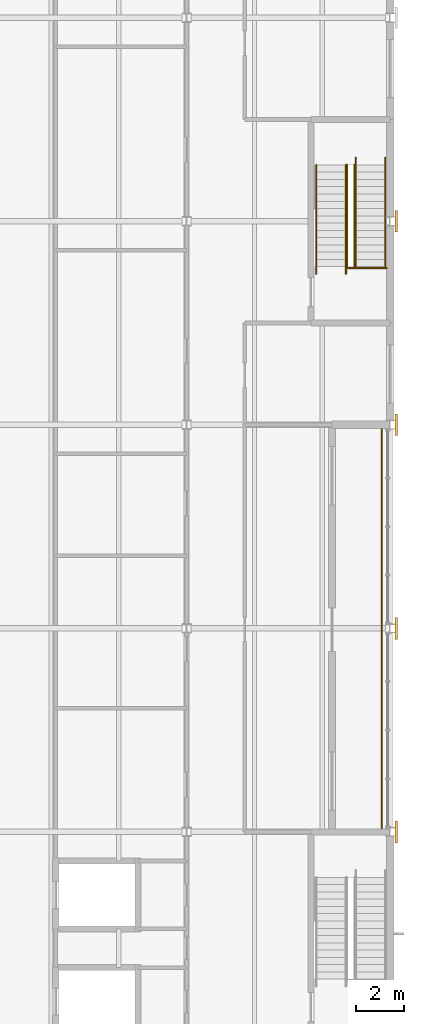
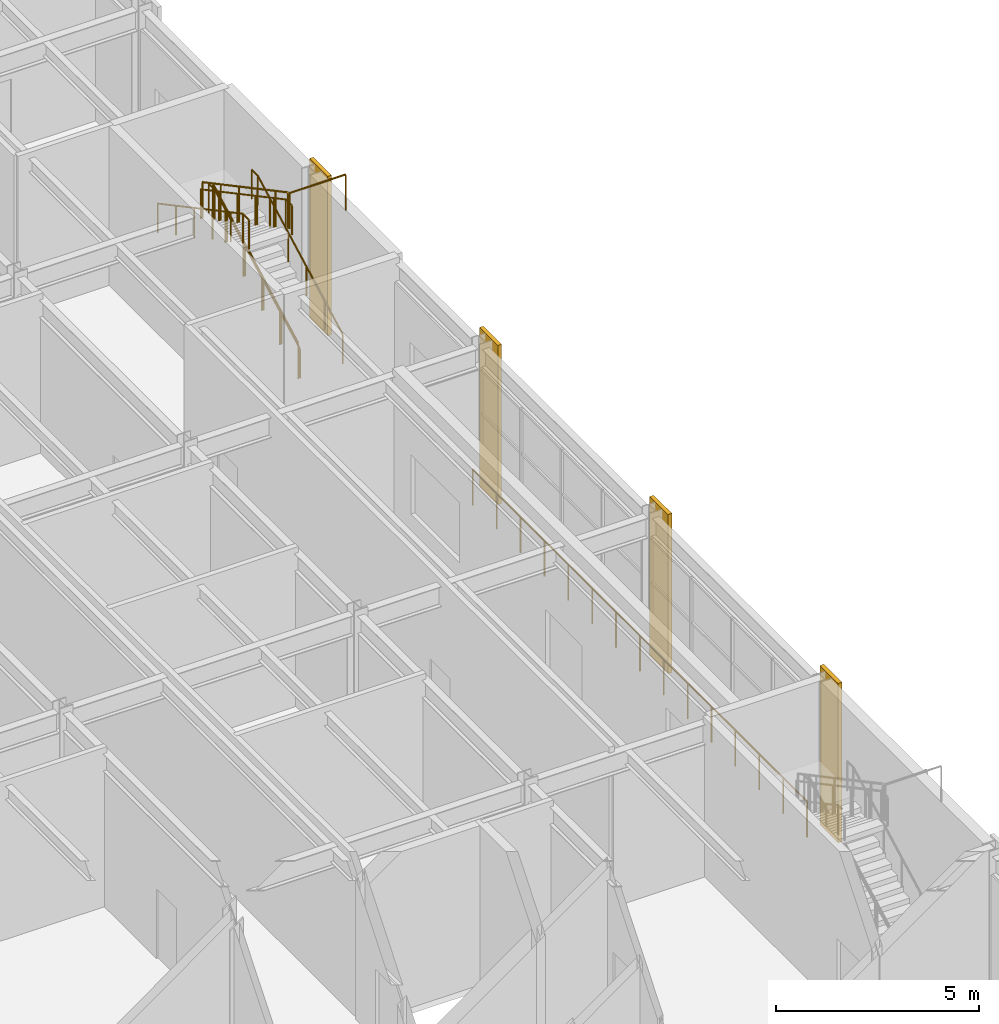
# One storey, part 116 of 127: 8 railings, 4 coverings.
"""IFC4 building model written with IfcOpenShell, lengths in metres."""

from ifc_helpers import new_model, si_unit, direction, frame, origin, origin_2d, place, context, subcontext, project, spatial, rectangle, circle, extrude, material, layer, layer_set, type_object, element, save


model = new_model("IFC4")

# Units and contexts
model_context = context("Model", 3, precision=1e-05, world=origin(), true_north=direction((0.0, 1.0)))
body_context = subcontext(model_context, "Body", "Model", "MODEL_VIEW")
ifc_project = project(units=[si_unit("LENGTHUNIT", "METRE"), si_unit("AREAUNIT", "SQUARE_METRE"), si_unit("VOLUMEUNIT", "CUBIC_METRE"), si_unit("PLANEANGLEUNIT", "RADIAN"), si_unit("MASSUNIT", "GRAM", prefix="KILO")], contexts=[model_context])

# Site, building, storey
site_placement = place(None, origin())
site = spatial("IfcSite", under=ifc_project, at=site_placement, CompositionType="ELEMENT")
building_placement = place(site_placement, origin())
building = spatial("IfcBuilding", under=site, at=building_placement, Name="Ljudholm Concert House", CompositionType="ELEMENT")
storey_placement = place(building_placement, frame((0.0, 0.0, 5.39990234375)))
storey = spatial("IfcBuildingStorey", under=building, at=storey_placement, Name="L01", CompositionType="ELEMENT", Elevation=5.39990234375)

# Railings
ifc_material_1 = material(Name="Steel ASTM A36", Category="steel")
railing_type_1 = type_object("IfcRailingType", Name="GUARD 1100", PredefinedType="GUARDRAIL", material=ifc_material_1)
railing_1_placement = place(storey_placement, frame((120.125, 60.925048828125, 0.16015625)))
element("IfcRailing", 1, at=railing_1_placement, inside=storey, type_object=railing_type_1, Name="Guard", PredefinedType="GUARDRAIL", context=body_context, shape_type="SweptSolid", body=[
    extrude(circle(Radius=0.02490234375, at=origin_2d()), frame((0.0, 0.0, 1.0751953125), z_axis=(0.0, 0.88233968818, 0.47061308382), x_axis=(-1.0, 0.0, 0.0)), (0.0, 0.0, 1.0), 1.02001953125),
    extrude(circle(Radius=0.02490234375, at=origin_2d()), frame((0.0, 0.89990234375, 1.55517578125), z_axis=(0.0, 0.882392687573, 0.470513703219), x_axis=(-1.0, 0.0, 0.0)), (0.0, 0.0, 1.0), 1.02001953125),
    extrude(circle(Radius=0.02490234375, at=origin_2d()), frame((0.0, 1.800048828125, 2.03515625), z_axis=(0.0, 0.88233968818, 0.47061308382), x_axis=(-1.0, 0.0, 0.0)), (0.0, 0.0, 1.0), 1.02001953125),
    extrude(circle(Radius=0.02490234375, at=origin_2d()), frame((0.0, 2.699951171875, 2.51513671875), z_axis=(0.0, 0.88233968818, 0.47061308382), x_axis=(-1.0, 0.0, 0.0)), (0.0, 0.0, 1.0), 1.02001953125),
    extrude(circle(Radius=0.02490234375, at=origin_2d()), frame((0.0, 3.599853515625, 2.9951171875), z_axis=(0.0, 0.882343004153, 0.470606866739), x_axis=(-1.0, 0.0, 0.0)), (0.0, 0.0, 1.0), 0.68017578125),
    extrude(circle(Radius=0.02099609375, at=origin_2d()), origin(), (0.0, 0.0, 1.0), 1.050048828125),
    extrude(circle(Radius=0.02099609375, at=origin_2d()), frame((0.0, 0.89990234375, 0.47998046875)), (0.0, 0.0, 1.0), 1.050048828125),
    extrude(circle(Radius=0.02099609375, at=origin_2d()), frame((0.0, 1.800048828125, 0.9599609375)), (0.0, 0.0, 1.0), 1.050048828125),
    extrude(circle(Radius=0.02099609375, at=origin_2d()), frame((0.0, 2.699951171875, 1.43994140625)), (0.0, 0.0, 1.0), 1.050048828125),
    extrude(circle(Radius=0.02099609375, at=origin_2d()), frame((0.0, 3.599853515625, 1.919921875)), (0.0, 0.0, 1.0), 1.050048828125),
    extrude(circle(Radius=0.02099609375, at=origin_2d()), frame((0.0, 4.199951171875, 2.239990234375)), (0.0, 0.0, 1.0), 1.050048828125),
])
railing_2_placement = place(storey_placement, frame((119.824951171875, 65.125, 2.56005859375)))
element("IfcRailing", 2, at=railing_2_placement, inside=storey, type_object=railing_type_1, Name="Guard", PredefinedType="GUARDRAIL", context=body_context, shape_type="SweptSolid", body=[
    extrude(circle(Radius=0.02490234375, at=origin_2d()), frame((0.0, 0.0, 1.0751953125), z_axis=(0.0, -0.88233968818, 0.47061308382), x_axis=(1.0, 0.0, 0.0)), (0.0, 0.0, 1.0), 1.02001953125),
    extrude(circle(Radius=0.02490234375, at=origin_2d()), frame((0.0, -0.89990234375, 1.55517578125), z_axis=(0.0, -0.882392687573, 0.470513703219), x_axis=(1.0, 0.0, 0.0)), (0.0, 0.0, 1.0), 1.02001953125),
    extrude(circle(Radius=0.02490234375, at=origin_2d()), frame((0.0, -1.800048828125, 2.03515625), z_axis=(0.0, -0.88233968818, 0.47061308382), x_axis=(1.0, 0.0, 0.0)), (0.0, 0.0, 1.0), 1.02001953125),
    extrude(circle(Radius=0.02490234375, at=origin_2d()), frame((0.0, -2.699951171875, 2.51513671875), z_axis=(0.0, -0.882392687573, 0.470513703219), x_axis=(1.0, 0.0, 0.0)), (0.0, 0.0, 1.0), 1.02001953125),
    extrude(circle(Radius=0.02490234375, at=origin_2d()), frame((0.0, -3.60009765625, 2.9951171875), z_axis=(0.0, -0.88226346546, 0.470755963866), x_axis=(1.0, 0.0, 0.0)), (0.0, 0.0, 1.0), 0.679931640625),
    extrude(circle(Radius=0.02099609375, at=origin_2d()), origin(), (0.0, 0.0, 1.0), 1.050048828125),
    extrude(circle(Radius=0.02099609375, at=origin_2d()), frame((0.0, -0.89990234375, 0.47998046875)), (0.0, 0.0, 1.0), 1.050048828125),
    extrude(circle(Radius=0.02099609375, at=origin_2d()), frame((0.0, -1.800048828125, 0.9599609375)), (0.0, 0.0, 1.0), 1.050048828125),
    extrude(circle(Radius=0.02099609375, at=origin_2d()), frame((0.0, -2.699951171875, 1.43994140625)), (0.0, 0.0, 1.0), 1.050048828125),
    extrude(circle(Radius=0.02099609375, at=origin_2d()), frame((0.0, -3.60009765625, 1.919921875)), (0.0, 0.0, 1.0), 1.050048828125),
    extrude(circle(Radius=0.02099609375, at=origin_2d()), frame((0.0, -4.199951171875, 2.239990234375)), (0.0, 0.0, 1.0), 1.050048828125),
])
railing_3_placement = place(storey_placement, frame((121.449951171875, 60.875, 4.800048828125)))
element("IfcRailing", 3, at=railing_3_placement, inside=storey, type_object=railing_type_1, Name="Guard", PredefinedType="GUARDRAIL", context=body_context, shape_type="SweptSolid", body=[
    extrude(circle(Radius=0.02490234375, at=origin_2d()), frame((0.0, 0.0, 1.0751953125), z_axis=(-1.0, 0.0, 0.0), x_axis=(0.0, -1.0, 0.0)), (0.0, 0.0, 1.0), 1.599853515625),
    extrude(circle(Radius=0.02099609375, at=origin_2d()), origin(), (0.0, 0.0, 1.0), 1.050048828125),
    extrude(circle(Radius=0.02099609375, at=origin_2d()), frame((-1.599853515625, 0.0, 0.0)), (0.0, 0.0, 1.0), 1.050048828125),
])
ifc_material_2 = material(Name="Steel ASTM A36", Category="steel")
railing_type_2 = type_object("IfcRailingType", Name="GUARD 1100 EXTERNAL", PredefinedType="GUARDRAIL", material=ifc_material_2)
railing_4_placement = place(storey_placement, frame((121.25, 37.75, 0.0)))
element("IfcRailing", 4, at=railing_4_placement, inside=storey, type_object=railing_type_2, Name="Loggia guard", PredefinedType="GUARDRAIL", context=body_context, shape_type="SweptSolid", body=[
    extrude(circle(Radius=0.02490234375, at=origin_2d()), frame((0.0, 0.0, 1.0751953125), z_axis=(0.0, 1.0, 0.0), x_axis=(-1.0, 0.0, 0.0)), (0.0, 0.0, 1.0), 16.5),
    extrude(circle(Radius=0.02099609375, at=origin_2d()), origin(), (0.0, 0.0, 1.0), 1.050048828125),
    extrude(circle(Radius=0.02099609375, at=origin_2d()), frame((0.0, 1.178466796875, 0.0)), (0.0, 0.0, 1.0), 1.050048828125),
    extrude(circle(Radius=0.02099609375, at=origin_2d()), frame((0.0, 2.357177734375, 0.0)), (0.0, 0.0, 1.0), 1.050048828125),
    extrude(circle(Radius=0.02099609375, at=origin_2d()), frame((0.0, 3.53564453125, 0.0)), (0.0, 0.0, 1.0), 1.050048828125),
    extrude(circle(Radius=0.02099609375, at=origin_2d()), frame((0.0, 4.71435546875, 0.0)), (0.0, 0.0, 1.0), 1.050048828125),
    extrude(circle(Radius=0.02099609375, at=origin_2d()), frame((0.0, 5.892822265625, 0.0)), (0.0, 0.0, 1.0), 1.050048828125),
    extrude(circle(Radius=0.02099609375, at=origin_2d()), frame((0.0, 7.071533203125, 0.0)), (0.0, 0.0, 1.0), 1.050048828125),
    extrude(circle(Radius=0.02099609375, at=origin_2d()), frame((0.0, 8.25, 0.0)), (0.0, 0.0, 1.0), 1.050048828125),
    extrude(circle(Radius=0.02099609375, at=origin_2d()), frame((0.0, 9.428466796875, 0.0)), (0.0, 0.0, 1.0), 1.050048828125),
    extrude(circle(Radius=0.02099609375, at=origin_2d()), frame((0.0, 10.607177734375, 0.0)), (0.0, 0.0, 1.0), 1.050048828125),
    extrude(circle(Radius=0.02099609375, at=origin_2d()), frame((0.0, 11.78564453125, 0.0)), (0.0, 0.0, 1.0), 1.050048828125),
    extrude(circle(Radius=0.02099609375, at=origin_2d()), frame((0.0, 12.96435546875, 0.0)), (0.0, 0.0, 1.0), 1.050048828125),
    extrude(circle(Radius=0.02099609375, at=origin_2d()), frame((0.0, 14.142822265625, 0.0)), (0.0, 0.0, 1.0), 1.050048828125),
    extrude(circle(Radius=0.02099609375, at=origin_2d()), frame((0.0, 15.321533203125, 0.0)), (0.0, 0.0, 1.0), 1.050048828125),
    extrude(circle(Radius=0.02099609375, at=origin_2d()), frame((0.0, 16.5, 0.0)), (0.0, 0.0, 1.0), 1.050048828125),
])
ifc_material_3 = material(Name="Steel ASTM A36", Category="steel")
railing_type_3 = type_object("IfcRailingType", Name="HANDRAIL 900", PredefinedType="HANDRAIL", material=ifc_material_3)
railing_5_placement = place(storey_placement, frame((120.175048828125, 60.925048828125, 0.16015625)))
element("IfcRailing", 5, at=railing_5_placement, inside=storey, type_object=railing_type_3, Name="Handrail", PredefinedType="HANDRAIL", context=body_context, shape_type="SweptSolid", body=[
    extrude(circle(Radius=0.0224609375, at=origin_2d()), frame((0.0, 0.0, 0.87744140625), z_axis=(0.0, 0.88233968818, 0.47061308382), x_axis=(-1.0, 0.0, 0.0)), (0.0, 0.0, 1.0), 1.02001953125),
    extrude(circle(Radius=0.0224609375, at=origin_2d()), frame((0.0, 0.89990234375, 1.357421875), z_axis=(0.0, 0.882392687573, 0.470513703219), x_axis=(-1.0, 0.0, 0.0)), (0.0, 0.0, 1.0), 1.02001953125),
    extrude(circle(Radius=0.0224609375, at=origin_2d()), frame((0.0, 1.800048828125, 1.83740234375), z_axis=(0.0, 0.88233968818, 0.47061308382), x_axis=(-1.0, 0.0, 0.0)), (0.0, 0.0, 1.0), 1.02001953125),
    extrude(circle(Radius=0.0224609375, at=origin_2d()), frame((0.0, 2.699951171875, 2.3173828125), z_axis=(0.0, 0.88233968818, 0.47061308382), x_axis=(-1.0, 0.0, 0.0)), (0.0, 0.0, 1.0), 1.02001953125),
    extrude(circle(Radius=0.0224609375, at=origin_2d()), frame((0.0, 3.599853515625, 2.79736328125), z_axis=(0.0, 0.882343004153, 0.470606866739), x_axis=(-1.0, 0.0, 0.0)), (0.0, 0.0, 1.0), 0.68017578125),
    extrude(circle(Radius=0.0224609375, at=origin_2d()), frame((0.0, 4.199951171875, 3.117431640625), z_axis=(0.0, 1.0, 0.0), x_axis=(-1.0, 0.0, 0.0)), (0.0, 0.0, 1.0), 0.300048828125),
    extrude(circle(Radius=0.02099609375, at=origin_2d()), origin(), (0.0, 0.0, 1.0), 0.85498046875),
    extrude(circle(Radius=0.02099609375, at=origin_2d()), frame((0.0, 0.89990234375, 0.47998046875)), (0.0, 0.0, 1.0), 0.85498046875),
    extrude(circle(Radius=0.02099609375, at=origin_2d()), frame((0.0, 1.800048828125, 0.9599609375)), (0.0, 0.0, 1.0), 0.85498046875),
    extrude(circle(Radius=0.02099609375, at=origin_2d()), frame((0.0, 2.699951171875, 1.43994140625)), (0.0, 0.0, 1.0), 0.85498046875),
    extrude(circle(Radius=0.02099609375, at=origin_2d()), frame((0.0, 3.599853515625, 1.919921875)), (0.0, 0.0, 1.0), 0.85498046875),
    extrude(circle(Radius=0.02099609375, at=origin_2d()), frame((0.0, 4.199951171875, 2.239990234375)), (0.0, 0.0, 1.0), 0.85498046875),
    extrude(circle(Radius=0.02099609375, at=origin_2d()), frame((0.0, 4.5, 2.239990234375)), (0.0, 0.0, 1.0), 0.85498046875),
])
railing_6_placement = place(storey_placement, frame((121.39990234375, 60.925048828125, 0.16015625)))
element("IfcRailing", 6, at=railing_6_placement, inside=storey, type_object=railing_type_3, Name="Handrail", PredefinedType="HANDRAIL", context=body_context, shape_type="SweptSolid", body=[
    extrude(circle(Radius=0.0224609375, at=origin_2d()), frame((0.0, 0.0, 0.87744140625), z_axis=(0.0, 0.88233968818, 0.47061308382), x_axis=(-1.0, 0.0, 0.0)), (0.0, 0.0, 1.0), 1.02001953125),
    extrude(circle(Radius=0.0224609375, at=origin_2d()), frame((0.0, 0.89990234375, 1.357421875), z_axis=(0.0, 0.882392687573, 0.470513703219), x_axis=(-1.0, 0.0, 0.0)), (0.0, 0.0, 1.0), 1.02001953125),
    extrude(circle(Radius=0.0224609375, at=origin_2d()), frame((0.0, 1.800048828125, 1.83740234375), z_axis=(0.0, 0.88233968818, 0.47061308382), x_axis=(-1.0, 0.0, 0.0)), (0.0, 0.0, 1.0), 1.02001953125),
    extrude(circle(Radius=0.0224609375, at=origin_2d()), frame((0.0, 2.699951171875, 2.3173828125), z_axis=(0.0, 0.88233968818, 0.47061308382), x_axis=(-1.0, 0.0, 0.0)), (0.0, 0.0, 1.0), 1.02001953125),
    extrude(circle(Radius=0.0224609375, at=origin_2d()), frame((0.0, 3.599853515625, 2.79736328125), z_axis=(0.0, 0.882343004153, 0.470606866739), x_axis=(-1.0, 0.0, 0.0)), (0.0, 0.0, 1.0), 0.68017578125),
    extrude(circle(Radius=0.0224609375, at=origin_2d()), frame((0.0, 4.199951171875, 3.117431640625), z_axis=(0.0, 1.0, 0.0), x_axis=(-1.0, 0.0, 0.0)), (0.0, 0.0, 1.0), 0.300048828125),
    extrude(circle(Radius=0.02099609375, at=origin_2d()), origin(), (0.0, 0.0, 1.0), 0.85498046875),
    extrude(circle(Radius=0.02099609375, at=origin_2d()), frame((0.0, 0.89990234375, 0.47998046875)), (0.0, 0.0, 1.0), 0.85498046875),
    extrude(circle(Radius=0.02099609375, at=origin_2d()), frame((0.0, 1.800048828125, 0.9599609375)), (0.0, 0.0, 1.0), 0.85498046875),
    extrude(circle(Radius=0.02099609375, at=origin_2d()), frame((0.0, 2.699951171875, 1.43994140625)), (0.0, 0.0, 1.0), 0.85498046875),
    extrude(circle(Radius=0.02099609375, at=origin_2d()), frame((0.0, 3.599853515625, 1.919921875)), (0.0, 0.0, 1.0), 0.85498046875),
    extrude(circle(Radius=0.02099609375, at=origin_2d()), frame((0.0, 4.199951171875, 2.239990234375)), (0.0, 0.0, 1.0), 0.85498046875),
    extrude(circle(Radius=0.02099609375, at=origin_2d()), frame((0.0, 4.5, 2.239990234375)), (0.0, 0.0, 1.0), 0.85498046875),
])
railing_7_placement = place(storey_placement, frame((119.77490234375, 65.125, 2.56005859375)))
element("IfcRailing", 7, at=railing_7_placement, inside=storey, type_object=railing_type_3, Name="Handrail", PredefinedType="HANDRAIL", context=body_context, shape_type="SweptSolid", body=[
    extrude(circle(Radius=0.0224609375, at=origin_2d()), frame((0.0, 0.0, 0.87744140625), z_axis=(0.0, -0.88233968818, 0.47061308382), x_axis=(1.0, 0.0, 0.0)), (0.0, 0.0, 1.0), 1.02001953125),
    extrude(circle(Radius=0.0224609375, at=origin_2d()), frame((0.0, -0.89990234375, 1.357421875), z_axis=(0.0, -0.882392687573, 0.470513703219), x_axis=(1.0, 0.0, 0.0)), (0.0, 0.0, 1.0), 1.02001953125),
    extrude(circle(Radius=0.0224609375, at=origin_2d()), frame((0.0, -1.800048828125, 1.83740234375), z_axis=(0.0, -0.88233968818, 0.47061308382), x_axis=(1.0, 0.0, 0.0)), (0.0, 0.0, 1.0), 1.02001953125),
    extrude(circle(Radius=0.0224609375, at=origin_2d()), frame((0.0, -2.699951171875, 2.3173828125), z_axis=(0.0, -0.882392687573, 0.470513703219), x_axis=(1.0, 0.0, 0.0)), (0.0, 0.0, 1.0), 1.02001953125),
    extrude(circle(Radius=0.0224609375, at=origin_2d()), frame((0.0, -3.60009765625, 2.79736328125), z_axis=(0.0, -0.88226346546, 0.470755963866), x_axis=(1.0, 0.0, 0.0)), (0.0, 0.0, 1.0), 0.679931640625),
    extrude(circle(Radius=0.0224609375, at=origin_2d()), frame((0.0, -4.199951171875, 3.117431640625), z_axis=(0.0, -1.0, 0.0), x_axis=(1.0, 0.0, 0.0)), (0.0, 0.0, 1.0), 0.300048828125),
    extrude(circle(Radius=0.02099609375, at=origin_2d()), origin(), (0.0, 0.0, 1.0), 0.85498046875),
    extrude(circle(Radius=0.02099609375, at=origin_2d()), frame((0.0, -0.89990234375, 0.47998046875)), (0.0, 0.0, 1.0), 0.85498046875),
    extrude(circle(Radius=0.02099609375, at=origin_2d()), frame((0.0, -1.800048828125, 0.9599609375)), (0.0, 0.0, 1.0), 0.85498046875),
    extrude(circle(Radius=0.02099609375, at=origin_2d()), frame((0.0, -2.699951171875, 1.43994140625)), (0.0, 0.0, 1.0), 0.85498046875),
    extrude(circle(Radius=0.02099609375, at=origin_2d()), frame((0.0, -3.60009765625, 1.919921875)), (0.0, 0.0, 1.0), 0.85498046875),
    extrude(circle(Radius=0.02099609375, at=origin_2d()), frame((0.0, -4.199951171875, 2.239990234375)), (0.0, 0.0, 1.0), 0.85498046875),
    extrude(circle(Radius=0.02099609375, at=origin_2d()), frame((0.0, -4.5, 2.239990234375)), (0.0, 0.0, 1.0), 0.85498046875),
])
railing_8_placement = place(storey_placement, frame((118.550048828125, 65.125, 2.56005859375)))
element("IfcRailing", 8, at=railing_8_placement, inside=storey, type_object=railing_type_3, Name="Handrail", PredefinedType="HANDRAIL", context=body_context, shape_type="SweptSolid", body=[
    extrude(circle(Radius=0.0224609375, at=origin_2d()), frame((0.0, 0.0, 0.87744140625), z_axis=(0.0, -0.88233968818, 0.47061308382), x_axis=(1.0, 0.0, 0.0)), (0.0, 0.0, 1.0), 1.02001953125),
    extrude(circle(Radius=0.0224609375, at=origin_2d()), frame((0.0, -0.89990234375, 1.357421875), z_axis=(0.0, -0.882392687573, 0.470513703219), x_axis=(1.0, 0.0, 0.0)), (0.0, 0.0, 1.0), 1.02001953125),
    extrude(circle(Radius=0.0224609375, at=origin_2d()), frame((0.0, -1.800048828125, 1.83740234375), z_axis=(0.0, -0.88233968818, 0.47061308382), x_axis=(1.0, 0.0, 0.0)), (0.0, 0.0, 1.0), 1.02001953125),
    extrude(circle(Radius=0.0224609375, at=origin_2d()), frame((0.0, -2.699951171875, 2.3173828125), z_axis=(0.0, -0.882392687573, 0.470513703219), x_axis=(1.0, 0.0, 0.0)), (0.0, 0.0, 1.0), 1.02001953125),
    extrude(circle(Radius=0.0224609375, at=origin_2d()), frame((0.0, -3.60009765625, 2.79736328125), z_axis=(0.0, -0.88226346546, 0.470755963866), x_axis=(1.0, 0.0, 0.0)), (0.0, 0.0, 1.0), 0.679931640625),
    extrude(circle(Radius=0.0224609375, at=origin_2d()), frame((0.0, -4.199951171875, 3.117431640625), z_axis=(0.0, -1.0, 0.0), x_axis=(1.0, 0.0, 0.0)), (0.0, 0.0, 1.0), 0.300048828125),
    extrude(circle(Radius=0.02099609375, at=origin_2d()), origin(), (0.0, 0.0, 1.0), 0.85498046875),
    extrude(circle(Radius=0.02099609375, at=origin_2d()), frame((0.0, -0.89990234375, 0.47998046875)), (0.0, 0.0, 1.0), 0.85498046875),
    extrude(circle(Radius=0.02099609375, at=origin_2d()), frame((0.0, -1.800048828125, 0.9599609375)), (0.0, 0.0, 1.0), 0.85498046875),
    extrude(circle(Radius=0.02099609375, at=origin_2d()), frame((0.0, -2.699951171875, 1.43994140625)), (0.0, 0.0, 1.0), 0.85498046875),
    extrude(circle(Radius=0.02099609375, at=origin_2d()), frame((0.0, -3.60009765625, 1.919921875)), (0.0, 0.0, 1.0), 0.85498046875),
    extrude(circle(Radius=0.02099609375, at=origin_2d()), frame((0.0, -4.199951171875, 2.239990234375)), (0.0, 0.0, 1.0), 0.85498046875),
    extrude(circle(Radius=0.02099609375, at=origin_2d()), frame((0.0, -4.5, 2.239990234375)), (0.0, 0.0, 1.0), 0.85498046875),
])

# Coverings
ifc_material_4 = material(Name="Precast concrete, limestone aggregate", Category="masonry")
ifc_layer = layer(ifc_material_4, 0.110107421875)
ifc_layer_set = layer_set([ifc_layer], Name="Precast concrete, limestone aggregate")
covering_type = type_object("IfcCoveringType", Name="PRECAST CONCRETE, LIMESTONE AGGREGATE CLADDING 110", PredefinedType="CLADDING", material=ifc_layer_set)
for number, where, z_axis, x_axis, name in (
    (9, (121.844970703125, 37.60009765625, 0.0), (0.0, 0.0, 1.0), (1.0, 0.0, 0.0), "Pilaster cladding"),
    (10, (121.844970703125, 46.0, 0.0), (0.0, 0.0, 1.0), (1.0, 0.0, 0.0), "Pilaster cladding"),
    (11, (121.844970703125, 54.39990234375, 0.0), (0.0, 0.0, 1.0), (1.0, 0.0, 0.0), "Pilaster cladding"),
    (12, (121.844970703125, 62.800048828125, 0.0), (0.0, 0.0, 1.0), (1.0, 0.0, 0.0), "Pilaster cladding"),
):
    element("IfcCovering", number, at=place(storey_placement, frame(where, z_axis=z_axis, x_axis=x_axis)), inside=storey, type_object=covering_type, Name=name, PredefinedType="CLADDING", context=body_context, shape_type="SweptSolid", body=[
        extrude(rectangle(XDim=0.110107421875, YDim=0.89990234375, at=origin_2d()), origin(), (0.0, 0.0, 1.0), 4.800048828125),
    ])

save(model, "model.ifc")
